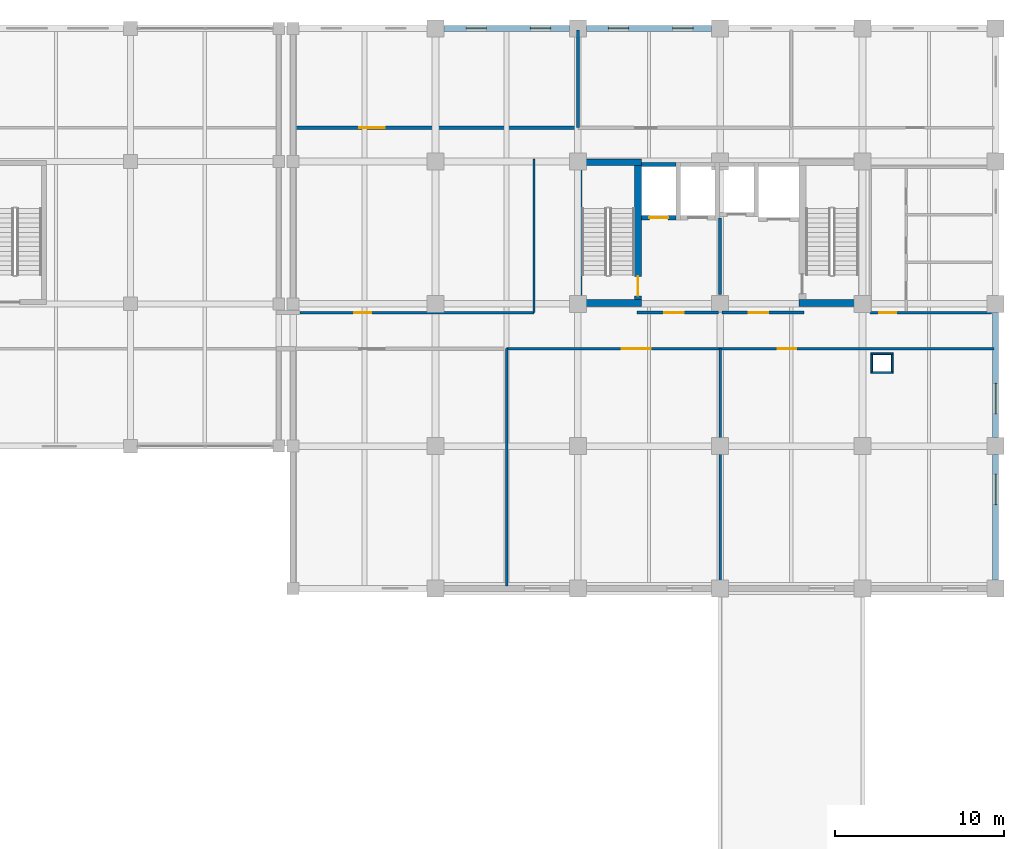
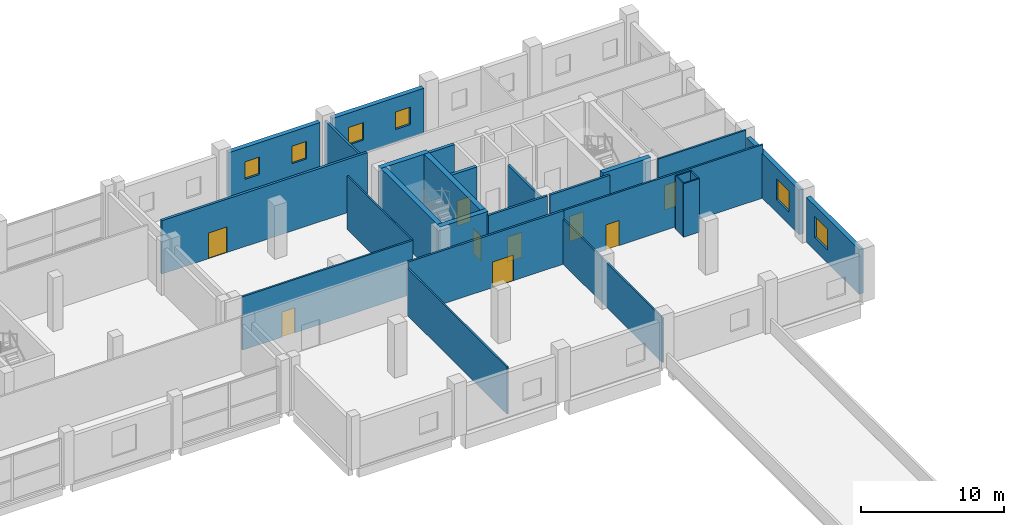
# One storey, part 24 of 31: 27 walls, 9 doors, 6 windows, 15 openings.
"""IFC4 building model written with IfcOpenShell, lengths in metres."""

from ifc_helpers import new_model, si_unit, direction, frame, frame_2d, origin, place, context, subcontext, project, spatial, rectangle, extrude, material, layer, layer_set, type_object, element, fill, save


model = new_model("IFC4")

# Units and contexts
model_context = context("Model", 3, precision=1e-05, world=origin(), true_north=direction((0.0, 1.0)))
body_context = subcontext(model_context, "Body", "Model", "MODEL_VIEW")
ifc_project = project(units=[si_unit("LENGTHUNIT", "METRE"), si_unit("AREAUNIT", "SQUARE_METRE"), si_unit("VOLUMEUNIT", "CUBIC_METRE"), si_unit("PLANEANGLEUNIT", "RADIAN"), si_unit("MASSUNIT", "GRAM", prefix="KILO")], contexts=[model_context])

# Site, building, storey
site_placement = place(None, origin())
site = spatial("IfcSite", under=ifc_project, at=site_placement, CompositionType="ELEMENT")
building_placement = place(site_placement, origin())
building = spatial("IfcBuilding", under=site, at=building_placement, Name="Brinegate Botanical Conservatory", CompositionType="ELEMENT")
storey_placement = place(building_placement, frame((0.0, 0.0, 5.39990234375)))
storey = spatial("IfcBuildingStorey", under=building, at=storey_placement, Name="L02", CompositionType="ELEMENT", Elevation=5.39990234375)

# Wall, openings, windows
ifc_material_1 = material(Name="Insulated Minnan red clay brick masonry", Category="masonry")
ifc_layer_1 = layer(ifc_material_1, 0.360107421875, Name="Insulated Minnan red clay brick masonry", Category="masonry")
ifc_layer_set_1 = layer_set([ifc_layer_1], Name="Insulated Minnan red clay brick masonry")
wall_type_1 = type_object("IfcWallType", Name="Wall_EW-360B", PredefinedType="STANDARD", material=ifc_layer_set_1)
wall_1_placement = place(storey_placement, frame((130.89990234375, 111.449951171875, 0.0), z_axis=(0.0, 0.0, 1.0), x_axis=(1.0, 0.0, 0.0)))
wall_1 = element("IfcWall", 1, at=wall_1_placement, inside=storey, type_object=wall_type_1, Name="Herbarium north insulated red-brick wall L02.2", PredefinedType="STANDARD", context=body_context, shape_type="SweptSolid", body=[
    extrude(rectangle(XDim=7.400146484375, YDim=0.360107421875, at=frame_2d((3.7001953125, 0.0))), origin(), (0.0, 0.0, 1.0), 3.830078125),
])
opening_1_placement = place(wall_1_placement, frame((1.300048828125, 0.0, 1.10009765625)))
opening_1 = element("IfcOpeningElement", 2, at=opening_1_placement, cuts=wall_1, Name="Opening WN-07", PredefinedType="OPENING", context=body_context, shape_type="SweptSolid", body=[
    extrude(rectangle(XDim=1.199951171875, YDim=1.5, at=frame_2d((0.60009765625, 0.75))), frame((0.0, 0.18994140625, 0.0), z_axis=(0.0, -1.0, 0.0), x_axis=(1.0, 0.0, 0.0)), (0.0, 0.0, 1.0), 0.380126953125),
])
opening_2_placement = place(wall_1_placement, frame((5.10009765625, 0.0, 1.10009765625)))
opening_2 = element("IfcOpeningElement", 3, at=opening_2_placement, cuts=wall_1, Name="Opening WN-07", PredefinedType="OPENING", context=body_context, shape_type="SweptSolid", body=[
    extrude(rectangle(XDim=1.199951171875, YDim=1.5, at=frame_2d((0.60009765625, 0.75))), frame((0.0, 0.18994140625, 0.0), z_axis=(0.0, -1.0, 0.0), x_axis=(1.0, 0.0, 0.0)), (0.0, 0.0, 1.0), 0.380126953125),
])
ifc_material_2 = material(Name="Thermally broken aluminium-framed Low-E glass", Category="aluminium")
window_type_1 = type_object("IfcWindowType", Name="Win_WN-07", PartitioningType="SINGLE_PANEL", PredefinedType="WINDOW", material=ifc_material_2)
window_1_placement = place(opening_1_placement, origin())
window_1 = element("IfcWindow", 4, at=window_1_placement, inside=storey, type_object=window_type_1, Name="Herbarium north UV-filtered window L02.2A", OverallHeight=1.5, OverallWidth=1.199951171875, PartitioningType="SINGLE_PANEL", PredefinedType="WINDOW", context=body_context, shape_type="SweptSolid", body=[
    extrude(rectangle(XDim=1.199951171875, YDim=1.5, at=frame_2d((0.60009765625, 0.75))), frame((0.0, 0.030029296875, 0.0), z_axis=(0.0, -1.0, 0.0), x_axis=(1.0, 0.0, 0.0)), (0.0, 0.0, 1.0), 0.06005859375),
])
fill(opening_1, window_1)
window_2_placement = place(opening_2_placement, origin())
window_2 = element("IfcWindow", 5, at=window_2_placement, inside=storey, type_object=window_type_1, Name="Herbarium north UV-filtered window L02.2B", OverallHeight=1.5, OverallWidth=1.199951171875, PartitioningType="SINGLE_PANEL", PredefinedType="WINDOW", context=body_context, shape_type="SweptSolid", body=[
    extrude(rectangle(XDim=1.199951171875, YDim=1.5, at=frame_2d((0.60009765625, 0.75))), frame((0.0, 0.030029296875, 0.0), z_axis=(0.0, -1.0, 0.0), x_axis=(1.0, 0.0, 0.0)), (0.0, 0.0, 1.0), 0.06005859375),
])
fill(opening_2, window_2)

wall_2_placement = place(storey_placement, frame((139.300048828125, 111.449951171875, 0.0), z_axis=(0.0, 0.0, 1.0), x_axis=(1.0, 0.0, 0.0)))
wall_2 = element("IfcWall", 6, at=wall_2_placement, inside=storey, type_object=wall_type_1, Name="Herbarium north insulated red-brick wall L02.3", PredefinedType="STANDARD", context=body_context, shape_type="SweptSolid", body=[
    extrude(rectangle(XDim=7.39990234375, YDim=0.360107421875, at=frame_2d((3.699951171875, 0.0))), origin(), (0.0, 0.0, 1.0), 3.830078125),
])
opening_3_placement = place(wall_2_placement, frame((1.300048828125, 0.0, 1.10009765625)))
opening_3 = element("IfcOpeningElement", 7, at=opening_3_placement, cuts=wall_2, Name="Opening WN-07", PredefinedType="OPENING", context=body_context, shape_type="SweptSolid", body=[
    extrude(rectangle(XDim=1.199951171875, YDim=1.5, at=frame_2d((0.60009765625, 0.75))), frame((0.0, 0.18994140625, 0.0), z_axis=(0.0, -1.0, 0.0), x_axis=(1.0, 0.0, 0.0)), (0.0, 0.0, 1.0), 0.380126953125),
])
opening_4_placement = place(wall_2_placement, frame((5.10009765625, 0.0, 1.10009765625)))
opening_4 = element("IfcOpeningElement", 8, at=opening_4_placement, cuts=wall_2, Name="Opening WN-07", PredefinedType="OPENING", context=body_context, shape_type="SweptSolid", body=[
    extrude(rectangle(XDim=1.199951171875, YDim=1.5, at=frame_2d((0.60009765625, 0.75))), frame((0.0, 0.18994140625, 0.0), z_axis=(0.0, -1.0, 0.0), x_axis=(1.0, 0.0, 0.0)), (0.0, 0.0, 1.0), 0.380126953125),
])
window_3_placement = place(opening_3_placement, origin())
window_3 = element("IfcWindow", 9, at=window_3_placement, inside=storey, type_object=window_type_1, Name="Herbarium north UV-filtered window L02.3A", OverallHeight=1.5, OverallWidth=1.199951171875, PartitioningType="SINGLE_PANEL", PredefinedType="WINDOW", context=body_context, shape_type="SweptSolid", body=[
    extrude(rectangle(XDim=1.199951171875, YDim=1.5, at=frame_2d((0.60009765625, 0.75))), frame((0.0, 0.030029296875, 0.0), z_axis=(0.0, -1.0, 0.0), x_axis=(1.0, 0.0, 0.0)), (0.0, 0.0, 1.0), 0.06005859375),
])
fill(opening_3, window_3)
window_4_placement = place(opening_4_placement, origin())
window_4 = element("IfcWindow", 10, at=window_4_placement, inside=storey, type_object=window_type_1, Name="Herbarium north UV-filtered window L02.3B", OverallHeight=1.5, OverallWidth=1.199951171875, PartitioningType="SINGLE_PANEL", PredefinedType="WINDOW", context=body_context, shape_type="SweptSolid", body=[
    extrude(rectangle(XDim=1.199951171875, YDim=1.5, at=frame_2d((0.60009765625, 0.75))), frame((0.0, 0.030029296875, 0.0), z_axis=(0.0, -1.0, 0.0), x_axis=(1.0, 0.0, 0.0)), (0.0, 0.0, 1.0), 0.06005859375),
])
fill(opening_4, window_4)

# Wall, opening, window
wall_3_placement = place(storey_placement, frame((163.449951171875, 86.300048828125, 0.0), z_axis=(0.0, 0.0, 1.0), x_axis=(0.0, -1.0, 0.0)))
wall_3 = element("IfcWall", 11, at=wall_3_placement, inside=storey, type_object=wall_type_1, Name="Tower east brick wall L02.1", PredefinedType="STANDARD", context=body_context, shape_type="SweptSolid", body=[
    extrude(rectangle(XDim=7.400146484375, YDim=0.360107421875, at=frame_2d((3.7001953125, 0.0))), origin(), (0.0, 0.0, 1.0), 3.830078125),
])
opening_5_placement = place(wall_3_placement, frame((1.14990234375, 0.0, 1.10009765625)))
opening_5 = element("IfcOpeningElement", 12, at=opening_5_placement, cuts=wall_3, Name="Opening WN-05", PredefinedType="OPENING", context=body_context, shape_type="SweptSolid", body=[
    extrude(rectangle(XDim=1.800048828125, YDim=1.800048828125, at=frame_2d((0.89990234375, 0.89990234375))), frame((0.0, 0.18994140625, 0.0), z_axis=(0.0, -1.0, 0.0), x_axis=(1.0, 0.0, 0.0)), (0.0, 0.0, 1.0), 0.380126953125),
])
window_type_2 = type_object("IfcWindowType", Name="Win_WN-05", PartitioningType="DOUBLE_PANEL_VERTICAL", PredefinedType="WINDOW", material=ifc_material_2)
window_5_placement = place(opening_5_placement, origin())
window_5 = element("IfcWindow", 13, at=window_5_placement, inside=storey, type_object=window_type_2, Name="Tower east window L02.1", OverallHeight=1.800048828125, OverallWidth=1.800048828125, PartitioningType="DOUBLE_PANEL_VERTICAL", PredefinedType="WINDOW", context=body_context, shape_type="SweptSolid", body=[
    extrude(rectangle(XDim=1.800048828125, YDim=1.800048828125, at=frame_2d((0.89990234375, 0.89990234375))), frame((0.0, 0.030029296875, 0.0), z_axis=(0.0, -1.0, 0.0), x_axis=(1.0, 0.0, 0.0)), (0.0, 0.0, 1.0), 0.06005859375),
])
fill(opening_5, window_5)

wall_4_placement = place(storey_placement, frame((163.449951171875, 94.699951171875, 0.0), z_axis=(0.0, 0.0, 1.0), x_axis=(0.0, -1.0, 0.0)))
wall_4 = element("IfcWall", 14, at=wall_4_placement, inside=storey, type_object=wall_type_1, Name="Tower east brick wall L02.2", PredefinedType="STANDARD", context=body_context, shape_type="SweptSolid", body=[
    extrude(rectangle(XDim=7.39990234375, YDim=0.360107421875, at=frame_2d((3.699951171875, 0.0))), origin(), (0.0, 0.0, 1.0), 3.830078125),
])
opening_6_placement = place(wall_4_placement, frame((4.199951171875, 0.0, 1.10009765625)))
opening_6 = element("IfcOpeningElement", 15, at=opening_6_placement, cuts=wall_4, Name="Opening WN-05", PredefinedType="OPENING", context=body_context, shape_type="SweptSolid", body=[
    extrude(rectangle(XDim=1.800048828125, YDim=1.800048828125, at=frame_2d((0.89990234375, 0.89990234375))), frame((0.0, 0.18994140625, 0.0), z_axis=(0.0, -1.0, 0.0), x_axis=(1.0, 0.0, 0.0)), (0.0, 0.0, 1.0), 0.380126953125),
])
window_6_placement = place(opening_6_placement, origin())
window_6 = element("IfcWindow", 16, at=window_6_placement, inside=storey, type_object=window_type_2, Name="Tower east window L02.2", OverallHeight=1.800048828125, OverallWidth=1.800048828125, PartitioningType="DOUBLE_PANEL_VERTICAL", PredefinedType="WINDOW", context=body_context, shape_type="SweptSolid", body=[
    extrude(rectangle(XDim=1.800048828125, YDim=1.800048828125, at=frame_2d((0.89990234375, 0.89990234375))), frame((0.0, 0.030029296875, 0.0), z_axis=(0.0, -1.0, 0.0), x_axis=(1.0, 0.0, 0.0)), (0.0, 0.0, 1.0), 0.06005859375),
])
fill(opening_6, window_6)

# Walls
ifc_material_3 = material(Name="Gypsum-clad steel-stud fire-rated shaft partition", Category="steel")
ifc_layer_2 = layer(ifc_material_3, 0.10498046875, Name="Gypsum-clad steel-stud fire-rated shaft partition", Category="steel")
ifc_layer_set_2 = layer_set([ifc_layer_2], Name="Gypsum-clad steel-stud fire-rated shaft partition")
wall_type_2 = type_object("IfcWallType", Name="Wall_PW-105", PredefinedType="PARTITIONING", material=ifc_layer_set_2)
for number, where, z_axis, x_axis, name in (
    (17, (156.094970703125, 91.1474609375, 0.0), (0.0, 0.0, 1.0), (1.0, 0.0, 0.0), "Service riser shaft wall L02 S"),
    (18, (156.094970703125, 92.25244140625, 0.0), (0.0, 0.0, 1.0), (1.0, 0.0, 0.0), "Service riser shaft wall L02 N"),
):
    element("IfcWall", number, at=place(storey_placement, frame(where, z_axis=z_axis, x_axis=x_axis)), inside=storey, type_object=wall_type_2, Name=name, PredefinedType="PARTITIONING", context=body_context, shape_type="SweptSolid", body=[
        extrude(rectangle(XDim=1.31005859375, YDim=0.10498046875, at=frame_2d((0.655029296875, 0.0))), origin(), (0.0, 0.0, 1.0), 4.580078125),
    ])
for number, where, z_axis, x_axis, name in (
    (19, (156.1474609375, 91.199951171875, 0.0), (0.0, 0.0, 1.0), (0.0, 1.0, 0.0), "Service riser shaft wall L02 W"),
    (20, (157.3525390625, 91.199951171875, 0.0), (0.0, 0.0, 1.0), (0.0, 1.0, 0.0), "Service riser shaft wall L02 E"),
):
    element("IfcWall", number, at=place(storey_placement, frame(where, z_axis=z_axis, x_axis=x_axis)), inside=storey, type_object=wall_type_2, Name=name, PredefinedType="PARTITIONING", context=body_context, shape_type="SweptSolid", body=[
        extrude(rectangle(XDim=1.0, YDim=0.10498046875, at=frame_2d((0.5, 0.0))), origin(), (0.0, 0.0, 1.0), 4.580078125),
    ])
ifc_material_4 = material(Name="Gypsum-clad steel-stud partition", Category="steel")
ifc_layer_3 = layer(ifc_material_4, 0.1201171875, Name="Gypsum-clad steel-stud partition", Category="steel")
ifc_layer_set_3 = layer_set([ifc_layer_3], Name="Gypsum-clad steel-stud partition")
wall_type_3 = type_object("IfcWallType", Name="Wall_PW-120", PredefinedType="PARTITIONING", material=ifc_layer_set_3)
wall_5_placement = place(storey_placement, frame((136.199951171875, 94.679931640625, 0.0), z_axis=(0.0, 0.0, 1.0), x_axis=(0.0, 1.0, 0.0)))
element("IfcWall", 21, at=wall_5_placement, inside=storey, type_object=wall_type_3, Name="Interior partition P-L02-XCORR-W", PredefinedType="PARTITIONING", context=body_context, shape_type="SweptSolid", body=[
    extrude(rectangle(XDim=9.070068359375, YDim=0.1201171875, at=frame_2d((4.53515625, 0.0))), origin(), (0.0, 0.0, 1.0), 4.580078125),
])
ifc_layer_4 = layer(ifc_material_4, 0.135009765625, Name="Gypsum-clad steel-stud partition", Category="steel")
ifc_layer_set_4 = layer_set([ifc_layer_4], Name="Gypsum-clad steel-stud partition")
wall_type_4 = type_object("IfcWallType", Name="Wall_PW-135", PredefinedType="PARTITIONING", material=ifc_layer_set_4)
wall_6_placement = place(storey_placement, frame((134.60009765625, 78.550048828125, 0.0), z_axis=(0.0, 0.0, 1.0), x_axis=(0.0, 1.0, 0.0)))
element("IfcWall", 22, at=wall_6_placement, inside=storey, type_object=wall_type_4, Name="Interior partition P-L02-SDIV-S2", PredefinedType="PARTITIONING", context=body_context, shape_type="SweptSolid", body=[
    extrude(rectangle(XDim=14.0, YDim=0.135009765625, at=frame_2d((7.0, 0.0))), origin(), (0.0, 0.0, 1.0), 4.030029296875),
])
wall_7_placement = place(storey_placement, frame((147.199951171875, 78.550048828125, 0.0), z_axis=(0.0, 0.0, 1.0), x_axis=(0.0, 1.0, 0.0)))
element("IfcWall", 23, at=wall_7_placement, inside=storey, type_object=wall_type_4, Name="Interior partition P-L02-SDIV-S3", PredefinedType="PARTITIONING", context=body_context, shape_type="SweptSolid", body=[
    extrude(rectangle(XDim=14.0, YDim=0.135009765625, at=frame_2d((7.0, 0.0))), origin(), (0.0, 0.0, 1.0), 3.830078125),
])

# Wall, opening, door
ifc_material_5 = material(Name="Gypsum-clad acoustic steel-stud partition", Category="steel")
ifc_layer_5 = layer(ifc_material_5, 0.14501953125, Name="Gypsum-clad acoustic steel-stud partition", Category="steel")
ifc_layer_set_5 = layer_set([ifc_layer_5], Name="Gypsum-clad acoustic steel-stud partition")
wall_type_5 = type_object("IfcWallType", Name="Wall_PW-150", PredefinedType="PARTITIONING", material=ifc_layer_set_5)
wall_8_placement = place(storey_placement, frame((122.39990234375, 94.679931640625, 0.0), z_axis=(0.0, 0.0, 1.0), x_axis=(1.0, 0.0, 0.0)))
wall_8 = element("IfcWall", 24, at=wall_8_placement, inside=storey, type_object=wall_type_5, Name="Interior partition P-L02-MIDW-S", PredefinedType="PARTITIONING", context=body_context, shape_type="SweptSolid", body=[
    extrude(rectangle(XDim=13.800048828125, YDim=0.14501953125, at=frame_2d((6.89990234375, 0.0))), origin(), (0.0, 0.0, 1.0), 4.580078125),
])
opening_7_placement = place(wall_8_placement, frame((3.199951171875, 0.0, 0.0)))
opening_7 = element("IfcOpeningElement", 25, at=opening_7_placement, cuts=wall_8, Name="Opening DR-02", PredefinedType="OPENING", context=body_context, shape_type="SweptSolid", body=[
    extrude(rectangle(XDim=1.02001953125, YDim=2.14990234375, at=frame_2d((0.510009765625, 1.074951171875))), frame((0.0, 0.08251953125, 0.0), z_axis=(0.0, -1.0, 0.0), x_axis=(1.0, 0.0, 0.0)), (0.0, 0.0, 1.0), 0.1650390625),
])
ifc_material_6 = material(Name="Phenolic-faced laboratory timber leaf", Category="wood")
door_type_1 = type_object("IfcDoorType", Name="Door_DR-02", OperationType="NOTDEFINED", PredefinedType="DOOR", material=ifc_material_6)
door_1_placement = place(opening_7_placement, origin())
door_1 = element("IfcDoor", 26, at=door_1_placement, inside=storey, type_object=door_type_1, Name="DR-P-L02-MIDW-S-1", OperationType="SINGLE_SWING_RIGHT", OverallHeight=2.14990234375, OverallWidth=1.02001953125, PredefinedType="DOOR", context=body_context, shape_type="SweptSolid", body=[
    extrude(rectangle(XDim=1.02001953125, YDim=2.14990234375, at=frame_2d((0.510009765625, 1.074951171875))), frame((0.0, 0.02490234375, 0.0), z_axis=(0.0, -1.0, 0.0), x_axis=(1.0, 0.0, 0.0)), (0.0, 0.0, 1.0), 0.050048828125),
])
fill(opening_7, door_1)

wall_9_placement = place(storey_placement, frame((147.199951171875, 92.550048828125, 0.0), z_axis=(0.0, 0.0, 1.0), x_axis=(1.0, 0.0, 0.0)))
wall_9 = element("IfcWall", 27, at=wall_9_placement, inside=storey, type_object=wall_type_5, Name="Interior partition P-L02-SB-S3", PredefinedType="PARTITIONING", context=body_context, shape_type="SweptSolid", body=[
    extrude(rectangle(XDim=16.150146484375, YDim=0.14501953125, at=frame_2d((8.0751953125, 0.0))), origin(), (0.0, 0.0, 1.0), 4.580078125),
])
opening_8_placement = place(wall_9_placement, frame((3.39990234375, 0.0, 0.0)))
opening_8 = element("IfcOpeningElement", 28, at=opening_8_placement, cuts=wall_9, Name="Opening DR-01", PredefinedType="OPENING", context=body_context, shape_type="SweptSolid", body=[
    extrude(rectangle(XDim=1.080078125, YDim=2.14990234375, at=frame_2d((0.5400390625, 1.074951171875))), frame((0.0, 0.08251953125, 0.0), z_axis=(0.0, -1.0, 0.0), x_axis=(1.0, 0.0, 0.0)), (0.0, 0.0, 1.0), 0.1650390625),
])
ifc_material_7 = material(Name="Hardwood timber acoustic leaf", Category="wood")
door_type_2 = type_object("IfcDoorType", Name="Door_DR-01", OperationType="NOTDEFINED", PredefinedType="DOOR", material=ifc_material_7)
door_2_placement = place(opening_8_placement, origin())
door_2 = element("IfcDoor", 29, at=door_2_placement, inside=storey, type_object=door_type_2, Name="DR-P-L02-SB-S3-1", OperationType="SINGLE_SWING_RIGHT", OverallHeight=2.14990234375, OverallWidth=1.080078125, PredefinedType="DOOR", context=body_context, shape_type="SweptSolid", body=[
    extrude(rectangle(XDim=1.080078125, YDim=2.14990234375, at=frame_2d((0.5400390625, 1.074951171875))), frame((0.0, 0.02490234375, 0.0), z_axis=(0.0, -1.0, 0.0), x_axis=(1.0, 0.0, 0.0)), (0.0, 0.0, 1.0), 0.050048828125),
])
fill(opening_8, door_2)

ifc_material_8 = material(Name="Moisture-resistant cement-board partition", Category="gypsum")
ifc_layer_6 = layer(ifc_material_8, 0.14990234375, Name="Moisture-resistant cement-board partition", Category="gypsum")
ifc_layer_set_6 = layer_set([ifc_layer_6], Name="Moisture-resistant cement-board partition")
wall_type_6 = type_object("IfcWallType", Name="Wall_PW-150W", PredefinedType="PARTITIONING", material=ifc_layer_set_6)
wall_10_placement = place(storey_placement, frame((156.050048828125, 94.679931640625, 0.0), z_axis=(0.0, 0.0, 1.0), x_axis=(1.0, 0.0, 0.0)))
wall_10 = element("IfcWall", 30, at=wall_10_placement, inside=storey, type_object=wall_type_6, Name="Interior partition P-L02-WCS", PredefinedType="PARTITIONING", context=body_context, shape_type="SweptSolid", body=[
    extrude(rectangle(XDim=7.14990234375, YDim=0.14990234375, at=frame_2d((3.574951171875, 0.0))), origin(), (0.0, 0.0, 1.0), 4.580078125),
])
opening_9_placement = place(wall_10_placement, frame((0.550048828125, 0.0, 0.0)))
opening_9 = element("IfcOpeningElement", 31, at=opening_9_placement, cuts=wall_10, Name="Opening DR-03", PredefinedType="OPENING", context=body_context, shape_type="SweptSolid", body=[
    extrude(rectangle(XDim=0.97998046875, YDim=2.1201171875, at=frame_2d((0.489990234375, 1.06005859375))), frame((0.0, 0.0849609375, 0.0), z_axis=(0.0, -1.0, 0.0), x_axis=(1.0, 0.0, 0.0)), (0.0, 0.0, 1.0), 0.169921875),
])
ifc_material_9 = material(Name="Steel-core hardwood smoke-sealed fire door", Category="steel")
door_type_3 = type_object("IfcDoorType", Name="Door_DR-03", OperationType="NOTDEFINED", PredefinedType="DOOR", material=ifc_material_9)
door_3_placement = place(opening_9_placement, origin())
door_3 = element("IfcDoor", 32, at=door_3_placement, inside=storey, type_object=door_type_3, Name="DR-P-L02-WCS-1", OperationType="SINGLE_SWING_LEFT", OverallHeight=2.1201171875, OverallWidth=0.97998046875, PredefinedType="DOOR", context=body_context, shape_type="SweptSolid", body=[
    extrude(rectangle(XDim=0.97998046875, YDim=2.1201171875, at=frame_2d((0.489990234375, 1.06005859375))), frame((0.0, 0.02490234375, 0.0), z_axis=(0.0, -1.0, 0.0), x_axis=(1.0, 0.0, 0.0)), (0.0, 0.0, 1.0), 0.050048828125),
])
fill(opening_9, door_3)

ifc_layer_7 = layer(ifc_material_5, 0.1650390625, Name="Gypsum-clad acoustic steel-stud partition", Category="steel")
ifc_layer_set_7 = layer_set([ifc_layer_7], Name="Gypsum-clad acoustic steel-stud partition")
wall_type_7 = type_object("IfcWallType", Name="Wall_PW-165", PredefinedType="PARTITIONING", material=ifc_layer_set_7)
wall_11_placement = place(storey_placement, frame((134.60009765625, 92.550048828125, 0.0), z_axis=(0.0, 0.0, 1.0), x_axis=(1.0, 0.0, 0.0)))
wall_11 = element("IfcWall", 33, at=wall_11_placement, inside=storey, type_object=wall_type_7, Name="Interior partition P-L02-SB-S2", PredefinedType="PARTITIONING", context=body_context, shape_type="SweptSolid", body=[
    extrude(rectangle(XDim=12.599853515625, YDim=0.1650390625, at=frame_2d((6.2998046875, 0.0))), origin(), (0.0, 0.0, 1.0), 4.580078125),
])
opening_10_placement = place(wall_11_placement, frame((6.800048828125, 0.0, 0.0)))
opening_10 = element("IfcOpeningElement", 34, at=opening_10_placement, cuts=wall_11, Name="Opening DR-DBL2", PredefinedType="OPENING", context=body_context, shape_type="SweptSolid", body=[
    extrude(rectangle(XDim=1.699951171875, YDim=2.199951171875, at=frame_2d((0.85009765625, 1.10009765625))), frame((0.0, 0.092529296875, 0.0), z_axis=(0.0, -1.0, 0.0), x_axis=(1.0, 0.0, 0.0)), (0.0, 0.0, 1.0), 0.18505859375),
])
ifc_material_10 = material(Name="Powder-coated steel laboratory double door", Category="steel")
door_type_4 = type_object("IfcDoorType", Name="Door_DR-DBL2", OperationType="NOTDEFINED", PredefinedType="DOOR", material=ifc_material_10)
door_4_placement = place(opening_10_placement, origin())
door_4 = element("IfcDoor", 35, at=door_4_placement, inside=storey, type_object=door_type_4, Name="DR-P-L02-SB-S2-1", OperationType="SINGLE_SWING_LEFT", OverallHeight=2.199951171875, OverallWidth=1.699951171875, PredefinedType="DOOR", context=body_context, shape_type="SweptSolid", body=[
    extrude(rectangle(XDim=1.699951171875, YDim=2.199951171875, at=frame_2d((0.85009765625, 1.10009765625))), frame((0.0, 0.02490234375, 0.0), z_axis=(0.0, -1.0, 0.0), x_axis=(1.0, 0.0, 0.0)), (0.0, 0.0, 1.0), 0.050048828125),
])
fill(opening_10, door_4)

ifc_material_11 = material(Name="Autoclaved aerated concrete C40/50 blockwork", Category="masonry")
ifc_layer_8 = layer(ifc_material_11, 0.179931640625, Name="Autoclaved aerated concrete C40/50 blockwork", Category="masonry")
ifc_layer_set_8 = layer_set([ifc_layer_8], Name="Autoclaved aerated concrete C40/50 blockwork")
wall_type_8 = type_object("IfcWallType", Name="Wall_PW-180F", PredefinedType="STANDARD", material=ifc_layer_set_8)
wall_12_placement = place(storey_placement, frame((142.300048828125, 94.679931640625, 0.0), z_axis=(0.0, 0.0, 1.0), x_axis=(1.0, 0.0, 0.0)))
wall_12 = element("IfcWall", 36, at=wall_12_placement, inside=storey, type_object=wall_type_8, Name="Interior partition P-L02-CORE-FF", PredefinedType="STANDARD", context=body_context, shape_type="SweptSolid", body=[
    extrude(rectangle(XDim=4.800048828125, YDim=0.179931640625, at=frame_2d((2.39990234375, 0.0))), origin(), (0.0, 0.0, 1.0), 4.580078125),
])
opening_11_placement = place(wall_12_placement, frame((1.60009765625, 0.0, 0.0)))
opening_11 = element("IfcOpeningElement", 37, at=opening_11_placement, cuts=wall_12, Name="Opening FD-B1", PredefinedType="OPENING", context=body_context, shape_type="SweptSolid", body=[
    extrude(rectangle(XDim=1.14990234375, YDim=2.14990234375, at=frame_2d((0.574951171875, 1.074951171875))), frame((0.0, 0.099853515625, 0.0), z_axis=(0.0, -1.0, 0.0), x_axis=(1.0, 0.0, 0.0)), (0.0, 0.0, 1.0), 0.199951171875),
])
ifc_material_12 = material(Name="Steel smoke-proof fire door assembly", Category="steel")
door_type_5 = type_object("IfcDoorType", Name="Door_FD-B1", OperationType="NOTDEFINED", PredefinedType="DOOR", material=ifc_material_12)
door_5_placement = place(opening_11_placement, origin())
door_5 = element("IfcDoor", 38, at=door_5_placement, inside=storey, type_object=door_type_5, Name="DR-P-L02-CORE-FF-1", OperationType="SINGLE_SWING_LEFT", OverallHeight=2.14990234375, OverallWidth=1.14990234375, PredefinedType="DOOR", context=body_context, shape_type="SweptSolid", body=[
    extrude(rectangle(XDim=1.14990234375, YDim=2.14990234375, at=frame_2d((0.574951171875, 1.074951171875))), frame((0.0, 0.02490234375, 0.0), z_axis=(0.0, -1.0, 0.0), x_axis=(1.0, 0.0, 0.0)), (0.0, 0.0, 1.0), 0.050048828125),
])
fill(opening_11, door_5)

wall_13_placement = place(storey_placement, frame((147.300048828125, 94.679931640625, 0.0), z_axis=(0.0, 0.0, 1.0), x_axis=(1.0, 0.0, 0.0)))
wall_13 = element("IfcWall", 39, at=wall_13_placement, inside=storey, type_object=wall_type_8, Name="Interior partition P-L02-CORE-PAX", PredefinedType="STANDARD", context=body_context, shape_type="SweptSolid", body=[
    extrude(rectangle(XDim=4.849853515625, YDim=0.179931640625, at=frame_2d((2.4248046875, 0.0))), origin(), (0.0, 0.0, 1.0), 4.580078125),
])
opening_12_placement = place(wall_13_placement, frame((1.60009765625, 0.0, 0.0)))
opening_12 = element("IfcOpeningElement", 40, at=opening_12_placement, cuts=wall_13, Name="Opening FD-B1", PredefinedType="OPENING", context=body_context, shape_type="SweptSolid", body=[
    extrude(rectangle(XDim=1.14990234375, YDim=2.14990234375, at=frame_2d((0.574951171875, 1.074951171875))), frame((0.0, 0.099853515625, 0.0), z_axis=(0.0, -1.0, 0.0), x_axis=(1.0, 0.0, 0.0)), (0.0, 0.0, 1.0), 0.199951171875),
])
door_6_placement = place(opening_12_placement, origin())
door_6 = element("IfcDoor", 41, at=door_6_placement, inside=storey, type_object=door_type_5, Name="DR-P-L02-CORE-PAX-1", OperationType="SINGLE_SWING_RIGHT", OverallHeight=2.14990234375, OverallWidth=1.14990234375, PredefinedType="DOOR", context=body_context, shape_type="SweptSolid", body=[
    extrude(rectangle(XDim=1.14990234375, YDim=2.14990234375, at=frame_2d((0.574951171875, 1.074951171875))), frame((0.0, 0.02490234375, 0.0), z_axis=(0.0, -1.0, 0.0), x_axis=(1.0, 0.0, 0.0)), (0.0, 0.0, 1.0), 0.050048828125),
])
fill(opening_12, door_6)

# Walls
wall_14_placement = place(storey_placement, frame((147.199951171875, 95.75, 0.0), z_axis=(0.0, 0.0, 1.0), x_axis=(0.0, 1.0, 0.0)))
element("IfcWall", 42, at=wall_14_placement, inside=storey, type_object=wall_type_8, Name="Interior partition P-L02-CORE-DIV", PredefinedType="STANDARD", context=body_context, shape_type="SweptSolid", body=[
    extrude(rectangle(XDim=4.5, YDim=0.179931640625, at=frame_2d((2.25, 0.0))), origin(), (0.0, 0.0, 1.0), 3.830078125),
])
wall_15_placement = place(storey_placement, frame((138.800048828125, 105.60009765625, 0.0), z_axis=(0.0, 0.0, 1.0), x_axis=(0.0, 1.0, 0.0)))
element("IfcWall", 43, at=wall_15_placement, inside=storey, type_object=wall_type_8, Name="Interior partition P-L02-NDIV-N2", PredefinedType="STANDARD", context=body_context, shape_type="SweptSolid", body=[
    extrude(rectangle(XDim=5.75, YDim=0.179931640625, at=frame_2d((2.875, 0.0))), origin(), (0.0, 0.0, 1.0), 3.830078125),
])

# Wall, opening, door
ifc_layer_9 = layer(ifc_material_11, 0.199951171875, Name="Autoclaved aerated concrete C40/50 blockwork", Category="masonry")
ifc_layer_set_9 = layer_set([ifc_layer_9], Name="Autoclaved aerated concrete C40/50 blockwork")
wall_type_9 = type_object("IfcWallType", Name="Wall_PW-200F", PredefinedType="SOLIDWALL", material=ifc_layer_set_9)
wall_16_placement = place(storey_placement, frame((122.14990234375, 105.60009765625, 0.0), z_axis=(0.0, 0.0, 1.0), x_axis=(1.0, 0.0, 0.0)))
wall_16 = element("IfcWall", 44, at=wall_16_placement, inside=storey, type_object=wall_type_9, Name="Interior partition P-L02-NB-N1", PredefinedType="SOLIDWALL", context=body_context, shape_type="SweptSolid", body=[
    extrude(rectangle(XDim=16.650146484375, YDim=0.199951171875, at=frame_2d((8.3251953125, 0.0))), origin(), (0.0, 0.0, 1.0), 4.580078125),
])
opening_13_placement = place(wall_16_placement, frame((3.75, 0.0, 0.0)))
opening_13 = element("IfcOpeningElement", 45, at=opening_13_placement, cuts=wall_16, Name="Opening FD-A2", PredefinedType="OPENING", context=body_context, shape_type="SweptSolid", body=[
    extrude(rectangle(XDim=1.5, YDim=2.199951171875, at=frame_2d((0.75, 1.10009765625))), frame((0.0, 0.10986328125, 0.0), z_axis=(0.0, -1.0, 0.0), x_axis=(1.0, 0.0, 0.0)), (0.0, 0.0, 1.0), 0.219970703125),
])
ifc_material_13 = material(Name="Steel fire-rated double-leaf assembly", Category="steel")
door_type_6 = type_object("IfcDoorType", Name="Door_FD-A2", OperationType="NOTDEFINED", PredefinedType="DOOR", material=ifc_material_13)
door_7_placement = place(opening_13_placement, origin())
door_7 = element("IfcDoor", 46, at=door_7_placement, inside=storey, type_object=door_type_6, Name="DR-P-L02-NB-N1-1", OperationType="SINGLE_SWING_LEFT", OverallHeight=2.199951171875, OverallWidth=1.5, PredefinedType="DOOR", context=body_context, shape_type="SweptSolid", body=[
    extrude(rectangle(XDim=1.5, YDim=2.199951171875, at=frame_2d((0.75, 1.10009765625))), frame((0.0, 0.02490234375, 0.0), z_axis=(0.0, -1.0, 0.0), x_axis=(1.0, 0.0, 0.0)), (0.0, 0.0, 1.0), 0.050048828125),
])
fill(opening_13, door_7)

ifc_material_14 = material(Name="Concrete C40/50", Category="concrete")
ifc_layer_10 = layer(ifc_material_14, 0.25, Name="Concrete C40/50", Category="concrete")
ifc_layer_set_10 = layer_set([ifc_layer_10], Name="Concrete C40/50")
wall_type_10 = type_object("IfcWallType", Name="Wall_SW-250", PredefinedType="SHEAR", material=ifc_layer_set_10)
wall_17_placement = place(storey_placement, frame((142.550048828125, 100.27490234375, 0.0), z_axis=(0.0, 0.0, 1.0), x_axis=(1.0, 0.0, 0.0)))
wall_17 = element("IfcWall", 47, at=wall_17_placement, inside=storey, type_object=wall_type_10, Name="Lift shaft LF1 shear wall L02 S", PredefinedType="SHEAR", context=body_context, shape_type="SweptSolid", body=[
    extrude(rectangle(XDim=2.050048828125, YDim=0.25, at=frame_2d((1.02490234375, 0.0))), origin(), (0.0, 0.0, 1.0), 4.580078125),
])
opening_14_placement = place(wall_17_placement, frame((0.47509765625, 0.0, 0.0)))
opening_14 = element("IfcOpeningElement", 48, at=opening_14_placement, cuts=wall_17, Name="Opening LD-01", PredefinedType="OPENING", context=body_context, shape_type="SweptSolid", body=[
    extrude(rectangle(XDim=1.10009765625, YDim=2.14990234375, at=frame_2d((0.550048828125, 1.074951171875))), frame((0.0, 0.135009765625, 0.0), z_axis=(0.0, -1.0, 0.0), x_axis=(1.0, 0.0, 0.0)), (0.0, 0.0, 1.0), 0.27001953125),
])
ifc_material_15 = material(Name="Brushed stainless steel S355 landing door", Category="steel")
door_type_7 = type_object("IfcDoorType", Name="Door_LD-01", OperationType="SLIDING_TO_LEFT", PredefinedType="DOOR", material=ifc_material_15)
door_8_placement = place(opening_14_placement, origin())
door_8 = element("IfcDoor", 49, at=door_8_placement, inside=storey, type_object=door_type_7, Name="LD-LF1-L02", OperationType="SLIDING_TO_LEFT", OverallHeight=2.14990234375, OverallWidth=1.10009765625, PredefinedType="DOOR", context=body_context, shape_type="SweptSolid", body=[
    extrude(rectangle(XDim=1.10009765625, YDim=2.14990234375, at=frame_2d((0.550048828125, 1.074951171875))), frame((0.0, 0.02490234375, 0.0), z_axis=(0.0, -1.0, 0.0), x_axis=(1.0, 0.0, 0.0)), (0.0, 0.0, 1.0), 0.050048828125),
])
fill(opening_14, door_8)

# Walls
wall_18_placement = place(storey_placement, frame((142.550048828125, 103.425048828125, 0.0), z_axis=(0.0, 0.0, 1.0), x_axis=(1.0, 0.0, 0.0)))
element("IfcWall", 50, at=wall_18_placement, inside=storey, type_object=wall_type_10, Name="Lift shaft LF1 shear wall L02 N", PredefinedType="SHEAR", context=body_context, shape_type="SweptSolid", body=[
    extrude(rectangle(XDim=2.050048828125, YDim=0.25, at=frame_2d((1.02490234375, 0.0))), origin(), (0.0, 0.0, 1.0), 4.580078125),
])
ifc_material_16 = material(Name="Concrete C50/60", Category="concrete")
ifc_layer_11 = layer(ifc_material_16, 0.39990234375, Name="Concrete C50/60", Category="concrete")
ifc_layer_set_11 = layer_set([ifc_layer_11], Name="Concrete C50/60")
wall_type_11 = type_object("IfcWallType", Name="Wall_SW-400", PredefinedType="SHEAR", material=ifc_layer_set_11)
for number, where, z_axis, x_axis, name in (
    (51, (138.64990234375, 95.25, 0.0), (0.0, 0.0, 1.0), (1.0, 0.0, 0.0), "Stairwell ST1 shear wall L02 S"),
    (52, (138.64990234375, 103.550048828125, 0.0), (0.0, 0.0, 1.0), (1.0, 0.0, 0.0), "Stairwell ST1 shear wall L02 N"),
):
    element("IfcWall", number, at=place(storey_placement, frame(where, z_axis=z_axis, x_axis=x_axis)), inside=storey, type_object=wall_type_11, Name=name, PredefinedType="SHEAR", context=body_context, shape_type="SweptSolid", body=[
        extrude(rectangle(XDim=3.900146484375, YDim=0.39990234375, at=frame_2d((1.9501953125, 0.0))), origin(), (0.0, 0.0, 1.0), 4.580078125),
    ])
wall_19_placement = place(storey_placement, frame((138.85009765625, 95.449951171875, 0.0), z_axis=(0.0, 0.0, 1.0), x_axis=(0.0, 1.0, 0.0)))
element("IfcWall", 53, at=wall_19_placement, inside=storey, type_object=wall_type_11, Name="Stairwell ST1 shear wall L02 W", PredefinedType="SHEAR", context=body_context, shape_type="SweptSolid", body=[
    extrude(rectangle(XDim=7.900146484375, YDim=0.39990234375, at=frame_2d((3.9501953125, 0.0))), origin(), (0.0, 0.0, 1.0), 4.580078125),
])

# Wall, opening, door
wall_20_placement = place(storey_placement, frame((142.35009765625, 95.449951171875, 0.0), z_axis=(0.0, 0.0, 1.0), x_axis=(0.0, 1.0, 0.0)))
wall_20 = element("IfcWall", 54, at=wall_20_placement, inside=storey, type_object=wall_type_11, Name="Stairwell ST1 shear wall L02 E", PredefinedType="SHEAR", context=body_context, shape_type="SweptSolid", body=[
    extrude(rectangle(XDim=7.900146484375, YDim=0.39990234375, at=frame_2d((3.9501953125, 0.0))), origin(), (0.0, 0.0, 1.0), 4.580078125),
])
opening_15_placement = place(wall_20_placement, frame((0.219970703125, 0.0, 0.0)))
opening_15 = element("IfcOpeningElement", 55, at=opening_15_placement, cuts=wall_20, Name="Opening FD-B1", PredefinedType="OPENING", context=body_context, shape_type="SweptSolid", body=[
    extrude(rectangle(XDim=1.14990234375, YDim=2.14990234375, at=frame_2d((0.574951171875, 1.074951171875))), frame((0.0, 0.2099609375, 0.0), z_axis=(0.0, -1.0, 0.0), x_axis=(1.0, 0.0, 0.0)), (0.0, 0.0, 1.0), 0.419921875),
])
door_9_placement = place(opening_15_placement, origin())
door_9 = element("IfcDoor", 56, at=door_9_placement, inside=storey, type_object=door_type_5, Name="DR-ST-ST1-L02", OperationType="SINGLE_SWING_RIGHT", OverallHeight=2.14990234375, OverallWidth=1.14990234375, PredefinedType="DOOR", context=body_context, shape_type="SweptSolid", body=[
    extrude(rectangle(XDim=1.14990234375, YDim=2.14990234375, at=frame_2d((0.574951171875, 1.074951171875))), frame((0.0, 0.02490234375, 0.0), z_axis=(0.0, -1.0, 0.0), x_axis=(1.0, 0.0, 0.0)), (0.0, 0.0, 1.0), 0.050048828125),
])
fill(opening_15, door_9)

# Wall
wall_21_placement = place(storey_placement, frame((151.85009765625, 95.25, 0.0), z_axis=(0.0, 0.0, 1.0), x_axis=(1.0, 0.0, 0.0)))
element("IfcWall", 57, at=wall_21_placement, inside=storey, type_object=wall_type_11, Name="Stairwell ST2 shear wall L02 S", PredefinedType="SHEAR", context=body_context, shape_type="SweptSolid", body=[
    extrude(rectangle(XDim=3.89990234375, YDim=0.39990234375, at=frame_2d((1.949951171875, 0.0))), origin(), (0.0, 0.0, 1.0), 4.580078125),
])

save(model, "model.ifc")
